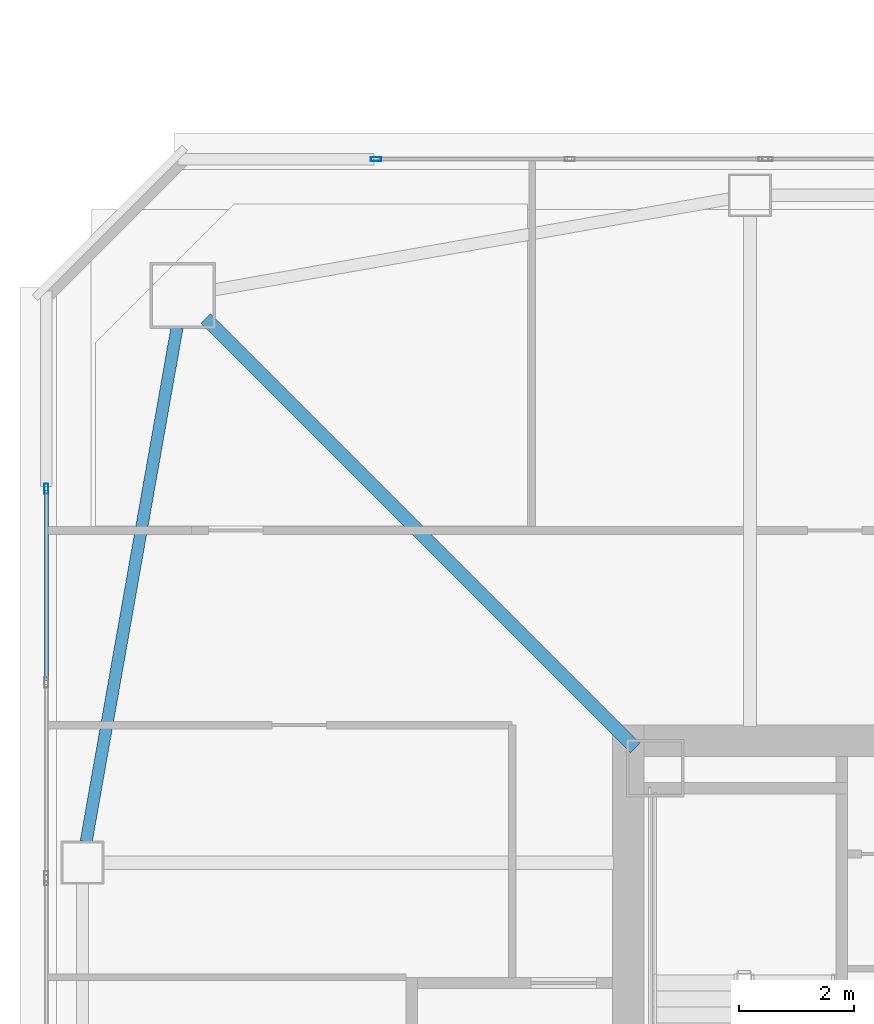
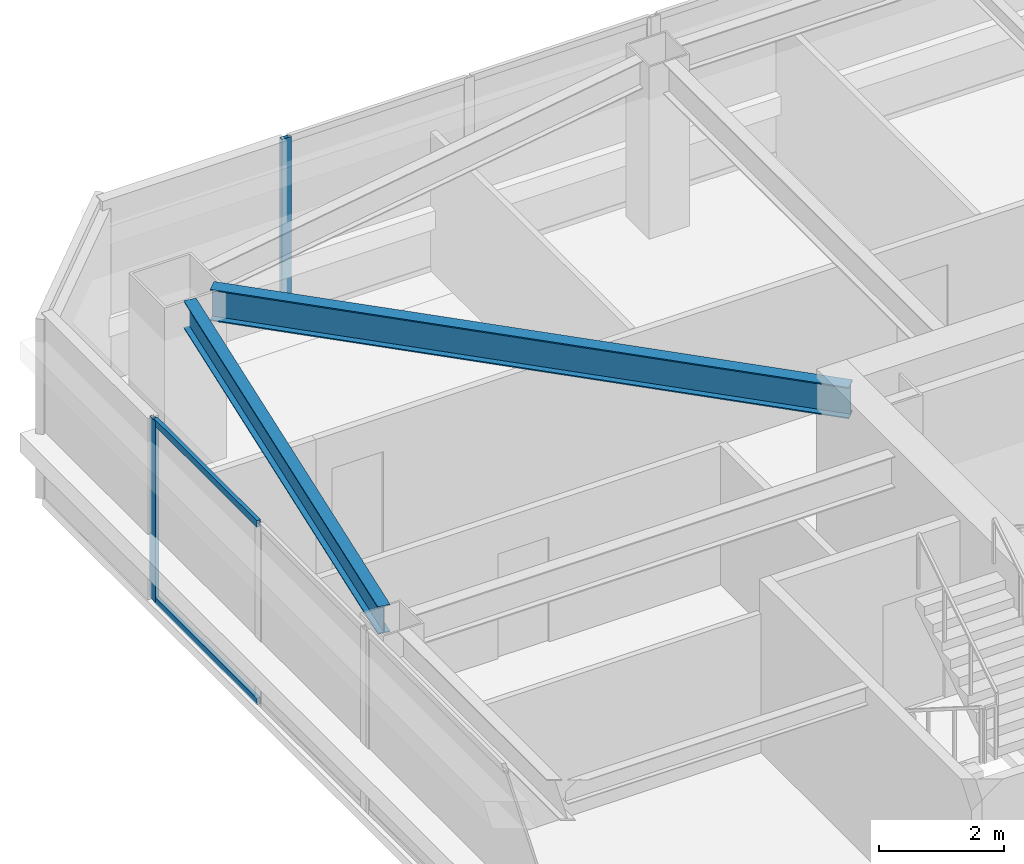
# One storey, part 12 of 43: 4 members, 2 beams, 2 elements without a shape of their own.
"""IFC4 building model written with IfcOpenShell, lengths in metres."""

import ifcopenshell
import ifcopenshell.guid

model = None  # the IFC model being written
_history = None  # IfcOwnerHistory: only IFC2X3 demands one
_inside = {}  # id of a spatial element -> (the spatial element, [elements in it])
_under = {}  # id of a project, library or spatial element -> (it, [spatial elements below it])
_declared = {}  # id of a project -> (the project, [libraries it declares])
_typed = {}  # id of a type object -> (the type object, [elements of that type])
_made_of = {}  # id of a material, layer set ... -> (it, [elements and type objects made of it])


def new_model(schema):
    """Start an empty IFC model of exactly this schema.

    Asked for "IFC4X3", IfcOpenShell would pick the latest addendum, in which some entities
    have other attributes; the version numbers below select the first issue.
    IFC2X3 requires an IfcOwnerHistory on every rooted entity: one is made here for all.
    """
    global model, _history
    if schema == "IFC4X3":
        model = ifcopenshell.file(schema_version=(4, 3, 0, 0))
    else:
        model = ifcopenshell.file(schema=schema)
    _inside.clear()
    _under.clear()
    _declared.clear()
    _typed.clear()
    _made_of.clear()
    _history = None
    if model.schema == "IFC2X3":
        org = make("IfcOrganization", Name="unknown")
        user = make(
            "IfcPersonAndOrganization",
            ThePerson=make("IfcPerson", FamilyName="unknown"),
            TheOrganization=org,
        )
        app = make(
            "IfcApplication",
            ApplicationDeveloper=org,
            Version="unknown",
            ApplicationFullName="unknown",
            ApplicationIdentifier="unknown",
        )
        _history = make(
            "IfcOwnerHistory",
            OwningUser=user,
            OwningApplication=app,
            ChangeAction="ADDED",
            CreationDate=0,
        )
    return model


def make(cls, **values):
    """One entity of the class cls with the attributes given. An attribute that is None is left unset."""
    return model.create_entity(
        cls, **{name: value for name, value in values.items() if value is not None}
    )


def rooted(cls, **values):
    """An entity with a GlobalId (a new one), such as an element, a storey or a relation."""
    return make(cls, GlobalId=ifcopenshell.guid.new(), OwnerHistory=_history, **values)


def si_unit(unit_type, name, prefix=None):
    """IfcSIUnit, for example si_unit("LENGTHUNIT", "METRE", prefix="MILLI")."""
    return make("IfcSIUnit", UnitType=unit_type, Prefix=prefix, Name=name)


def assignment(units):
    """IfcUnitAssignment: the units of a project."""
    return None if units is None else make("IfcUnitAssignment", Units=units)


def point(xyz):
    """IfcCartesianPoint."""
    return None if xyz is None else make("IfcCartesianPoint", Coordinates=xyz)


def direction(xyz):
    """IfcDirection."""
    return None if xyz is None else make("IfcDirection", DirectionRatios=xyz)


def frame(location, z_axis=None, x_axis=None):
    """IfcAxis2Placement3D, a coordinate frame: its origin and axes. An axis left out is left unset."""
    return make(
        "IfcAxis2Placement3D",
        Location=point(location),
        Axis=direction(z_axis),
        RefDirection=direction(x_axis),
    )


def frame_2d(location, x_axis=None):
    """IfcAxis2Placement2D, a coordinate frame in the plane: its origin and x axis."""
    return make(
        "IfcAxis2Placement2D", Location=point(location), RefDirection=direction(x_axis)
    )


def origin():
    """The frame at (0, 0, 0) with its axes left unset."""
    return frame((0.0, 0.0, 0.0))


def origin_2d():
    """The frame at (0, 0) in the plane with its x axis left unset."""
    return frame_2d((0.0, 0.0))


def place(relative_to, where):
    """IfcLocalPlacement: puts the frame where relative to a parent placement (None: the world)."""
    return make(
        "IfcLocalPlacement", PlacementRelTo=relative_to, RelativePlacement=where
    )


def context(
    kind, dimensions, precision=None, world=None, true_north=None, identifier=None
):
    """IfcGeometricRepresentationContext, for example the 3D "Model" context."""
    return make(
        "IfcGeometricRepresentationContext",
        ContextIdentifier=identifier,
        ContextType=kind,
        CoordinateSpaceDimension=dimensions,
        Precision=precision,
        WorldCoordinateSystem=world,
        TrueNorth=true_north,
    )


def subcontext(parent, identifier, kind, view, scale=None):
    """IfcGeometricRepresentationSubContext, for example "Body" below "Model"."""
    return make(
        "IfcGeometricRepresentationSubContext",
        ContextIdentifier=identifier,
        ContextType=kind,
        ParentContext=parent,
        TargetScale=scale,
        TargetView=view,
    )


def project(units=None, contexts=None):
    """IfcProject with its units and contexts."""
    return rooted(
        "IfcProject",
        Name="project",
        RepresentationContexts=contexts,
        UnitsInContext=assignment(units),
    )


def spatial(cls, under=None, at=None, **own):
    """A site, building, storey or space (cls), placed at a placement, below another one or the project."""
    s = rooted(cls, ObjectPlacement=at, **own)
    if under is not None:
        _under.setdefault(under.id(), (under, []))[1].append(s)
    return s


def profile(cls, at=None, kind="AREA", **sizes):
    """A parametric profile (cls). Its sizes go by their IFC names, for example OverallWidth=200.0."""
    return make(cls, ProfileType=kind, Position=at, **sizes)


def hollow_rectangle(**sizes):
    """IfcRectangleHollowProfileDef."""
    return profile("IfcRectangleHollowProfileDef", **sizes)


def i_section(**sizes):
    """IfcIShapeProfileDef."""
    return profile("IfcIShapeProfileDef", **sizes)


def extrude(swept, where, along, depth):
    """IfcExtrudedAreaSolid: the profile swept, set in the frame where, extruded along a direction by depth."""
    return make(
        "IfcExtrudedAreaSolid",
        SweptArea=swept,
        Position=where,
        ExtrudedDirection=direction(along),
        Depth=depth,
    )


def shape(context_of_items, identifier, shape_type, items):
    """IfcShapeRepresentation: the items that make up one representation, for example the "Body"."""
    return make(
        "IfcShapeRepresentation",
        ContextOfItems=context_of_items,
        RepresentationIdentifier=identifier,
        RepresentationType=shape_type,
        Items=items,
    )


def material(Name=None, Category=None):
    """IfcMaterial."""
    return make("IfcMaterial", Name=Name, Category=Category)


def material_profile(
    of_material, cross_section, Name=None, Category=None, Priority=None
):
    """IfcMaterialProfile: a cross section and its material."""
    return make(
        "IfcMaterialProfile",
        Name=Name,
        Material=of_material,
        Profile=cross_section,
        Priority=Priority,
        Category=Category,
    )


def profile_set(profiles, Name=None, composite=None):
    """IfcMaterialProfileSet."""
    return make(
        "IfcMaterialProfileSet",
        Name=Name,
        MaterialProfiles=profiles,
        CompositeProfile=composite,
    )


def made_of(thing, what):
    """Note that an element or type object is made of a material, layer set ...; save() writes the relation."""
    if what is not None:
        _made_of.setdefault(what.id(), (what, []))[1].append(thing)
    return thing


def type_object(cls, material=None, **own):
    """A type object (cls), such as IfcWallType, which elements share."""
    return made_of(rooted(cls, **own), material)


def element(
    cls,
    number,
    at=None,
    inside=None,
    cuts=None,
    type_object=None,
    material=None,
    context=None,
    identifier="Body",
    shape_type=None,
    held_by="IfcProductDefinitionShape",
    body=None,
    shapes=None,
    **own,
):
    """One element of the class cls, such as IfcWall. Its Tag is "e" and its number.

    at: its placement. inside: the storey or other place that contains it. cuts: it is an
    opening in that element (IfcRelVoidsElement). A single representation is given by context,
    identifier, shape_type and body (its items); several are given by shapes. held_by: the class
    of the entity that holds the representations. save() writes the other relations.
    """
    e = rooted(cls, Tag="e%d" % number, ObjectPlacement=at, **own)
    if body is not None:
        shapes = [shape(context, identifier, shape_type, body)]
    if shapes is not None:
        e.Representation = make(held_by, Representations=shapes)
    if inside is not None:
        _inside.setdefault(inside.id(), (inside, []))[1].append(e)
    if cuts is not None:
        rooted(
            "IfcRelVoidsElement", RelatingBuildingElement=cuts, RelatedOpeningElement=e
        )
    if type_object is not None:
        _typed.setdefault(type_object.id(), (type_object, []))[1].append(e)
    return made_of(e, material)


def aggregate(whole, parts):
    """IfcRelAggregates: a whole, such as a stair, and the parts it consists of."""
    return rooted("IfcRelAggregates", RelatingObject=whole, RelatedObjects=parts)


def save(model, path):
    """Write the relations noted so far, then the file.

    IfcRelAggregates (storeys below a building ...), IfcRelContainedInSpatialStructure (elements
    in a storey), IfcRelDefinesByType, IfcRelAssociatesMaterial and IfcRelDeclares: one each for
    every whole, place, type object, material and project.
    """
    for whole, parts in _under.values():
        aggregate(whole, parts)
    for where, things in _inside.values():
        rooted(
            "IfcRelContainedInSpatialStructure",
            RelatedElements=things,
            RelatingStructure=where,
        )
    for kind, things in _typed.values():
        rooted("IfcRelDefinesByType", RelatedObjects=things, RelatingType=kind)
    for what, things in _made_of.values():
        rooted("IfcRelAssociatesMaterial", RelatedObjects=things, RelatingMaterial=what)
    for by, libraries in _declared.values():
        rooted("IfcRelDeclares", RelatingContext=by, RelatedDefinitions=libraries)
    model.write(path)


model = new_model("IFC4")

# Units and contexts
model_context = context("Model", 3, precision=1e-05, world=origin(), true_north=direction((0.0, 1.0)))
body_context = subcontext(model_context, "Body", "Model", "MODEL_VIEW")
ifc_project = project(units=[si_unit("LENGTHUNIT", "METRE"), si_unit("AREAUNIT", "SQUARE_METRE"), si_unit("VOLUMEUNIT", "CUBIC_METRE"), si_unit("PLANEANGLEUNIT", "RADIAN"), si_unit("MASSUNIT", "GRAM", prefix="KILO")], contexts=[model_context])

# Site, building, storey
site_placement = place(None, origin())
site = spatial("IfcSite", under=ifc_project, at=site_placement, CompositionType="ELEMENT")
building_placement = place(site_placement, origin())
building = spatial("IfcBuilding", under=site, at=building_placement, Name="Tashvorn Skyway Center", CompositionType="ELEMENT")
storey_placement = place(building_placement, frame((0.0, 0.0, 160.550048828125)))
storey = spatial("IfcBuildingStorey", under=building, at=storey_placement, Name="L43", CompositionType="ELEMENT", Elevation=160.550048828125)

# Beams
ifc_material_1 = material(Name="Steel ASTM A992 Grade 50", Category="steel")
ifc_material_profile_1 = material_profile(ifc_material_1, i_section(OverallWidth=0.22998046875, OverallDepth=0.616943359375, WebThickness=0.01318359375, FlangeThickness=0.022216796875, at=origin_2d()), Name="W24X94")
ifc_profile_set_1 = profile_set([ifc_material_profile_1], Name="Steel ASTM A992 Grade 50")
beam_type_1 = type_object("IfcBeamType", Name="BM-BEAM-W24X94", PredefinedType="BEAM", material=ifc_profile_set_1)
beam_1_placement = place(storey_placement, frame((27.10302734375, 46.89697265625, 3.0615234375), z_axis=(0.707106781187, -0.707106781187, 0.0), x_axis=(0.707106781187, 0.707106781187, 0.0)))
element("IfcBeam", 1, at=beam_1_placement, inside=storey, type_object=beam_type_1, Name="Tower 1 L43 Primary Floor Girder MC-NW", PredefinedType="BEAM", context=body_context, shape_type="SweptSolid", body=[
    extrude(i_section(OverallWidth=0.22998046875, OverallDepth=0.616943359375, WebThickness=0.01318359375, FlangeThickness=0.022216796875, at=origin_2d()), origin(), (0.0, 0.0, 1.0), 10.6025390625),
])
ifc_material_profile_2 = material_profile(ifc_material_1, i_section(OverallWidth=0.2109375, OverallDepth=0.5390625, WebThickness=0.01171875, FlangeThickness=0.018798828125, at=origin_2d()), Name="W21X73")
ifc_profile_set_2 = profile_set([ifc_material_profile_2], Name="Steel ASTM A992 Grade 50")
beam_type_2 = type_object("IfcBeamType", Name="BM-SPANDREL-W21X73", PredefinedType="SPANDREL", material=ifc_profile_set_2)
beam_2_placement = place(storey_placement, frame((26.600830078125, 46.73876953125, 3.100341796875), z_axis=(-0.174074160933, -0.984732545667, 0.0), x_axis=(0.984732545667, -0.174074160933, 0.0)))
element("IfcBeam", 2, at=beam_2_placement, inside=storey, type_object=beam_type_2, Name="Tower 1 L43 Spandrel Beam 10", PredefinedType="SPANDREL", context=body_context, shape_type="SweptSolid", body=[
    extrude(i_section(OverallWidth=0.2109375, OverallDepth=0.5390625, WebThickness=0.01171875, FlangeThickness=0.018798828125, at=origin_2d()), origin(), (0.0, 0.0, 1.0), 9.113525390625),
])

# Curtain wall, member
ifc_material_2 = material(Name="Thermally broken bronze-anodized aluminium 6063-T6", Category="aluminium")
curtain_wall_type = type_object("IfcCurtainWallType", Name="CW-CW-Z4", PredefinedType="NOTDEFINED", material=ifc_material_2)
curtain_wall_1_placement = place(storey_placement, origin())
curtain_wall_1 = element("IfcCurtainWall", 3, at=curtain_wall_1_placement, inside=storey, type_object=curtain_wall_type, Name="Tower 1 L43 West Unitised Curtain Wall Glazing Group 3", PredefinedType="NOTDEFINED")
ifc_material_profile_3 = material_profile(ifc_material_2, hollow_rectangle(XDim=0.070068359375, YDim=0.179931640625, WallThickness=0.00390625, at=origin_2d()), Name="ALU-MULL-70x180")
ifc_profile_set_3 = profile_set([ifc_material_profile_3], Name="Thermally broken bronze-anodized aluminium 6063-T6")
member_type_1 = type_object("IfcMemberType", Name="CWM-CW-Z4", PredefinedType="MULLION", material=ifc_profile_set_3)
member_1_placement = place(storey_placement, frame((24.320068359375, 43.92724609375, 0.0), z_axis=(0.0, 0.0, 1.0), x_axis=(-1.0, 0.0, 0.0)))
member_1 = element("IfcMember", 4, at=member_1_placement, type_object=member_type_1, Name="CW-Z4 mullion 3", PredefinedType="MULLION", context=body_context, shape_type="SweptSolid", body=[
    extrude(hollow_rectangle(XDim=0.070068359375, YDim=0.179931640625, WallThickness=0.00390625, at=origin_2d()), origin(), (0.0, 0.0, 1.0), 3.550048828125),
])

curtain_wall_2_placement = place(storey_placement, origin())
curtain_wall_2 = element("IfcCurtainWall", 5, at=curtain_wall_2_placement, inside=storey, type_object=curtain_wall_type, Name="Tower 1 L43 North Unitised Curtain Wall Glazing Group 1", PredefinedType="NOTDEFINED")
member_2_placement = place(storey_placement, frame((30.07275390625, 49.679931640625, 0.0), z_axis=(0.0, 0.0, 1.0), x_axis=(0.0, 1.0, 0.0)))
member_2 = element("IfcMember", 6, at=member_2_placement, type_object=member_type_1, Name="CW-Z4 mullion 1", PredefinedType="MULLION", context=body_context, shape_type="SweptSolid", body=[
    extrude(hollow_rectangle(XDim=0.070068359375, YDim=0.179931640625, WallThickness=0.00390625, at=origin_2d()), origin(), (0.0, 0.0, 1.0), 3.550048828125),
])
aggregate(curtain_wall_2, [member_2])

# Member
ifc_material_profile_4 = material_profile(ifc_material_2, hollow_rectangle(XDim=0.070068359375, YDim=0.1298828125, WallThickness=0.00390625, at=origin_2d()), Name="ALU-TRAN-70x130")
ifc_profile_set_4 = profile_set([ifc_material_profile_4], Name="Thermally broken bronze-anodized aluminium 6063-T6")
member_type_2 = type_object("IfcMemberType", Name="CWT-CW-Z4", PredefinedType="USERDEFINED", material=ifc_profile_set_4)
member_3_placement = place(storey_placement, frame((24.320068359375, 40.579345703125, 0.034912109375), z_axis=(0.0, 1.0, 0.0), x_axis=(-1.0, 0.0, 0.0)))
member_3 = element("IfcMember", 7, at=member_3_placement, type_object=member_type_2, Name="CW-Z4 transom 2.1", ObjectType="TRANSOM", PredefinedType="USERDEFINED", context=body_context, shape_type="SweptSolid", body=[
    extrude(hollow_rectangle(XDim=0.070068359375, YDim=0.1298828125, WallThickness=0.00390625, at=origin_2d()), origin(), (0.0, 0.0, 1.0), 3.312744140625),
])

member_4_placement = place(storey_placement, frame((24.320068359375, 40.579345703125, 3.514892578125), z_axis=(0.0, 1.0, 0.0), x_axis=(-1.0, 0.0, 0.0)))
member_4 = element("IfcMember", 8, at=member_4_placement, type_object=member_type_2, Name="CW-Z4 transom 2.2", ObjectType="TRANSOM", PredefinedType="USERDEFINED", context=body_context, shape_type="SweptSolid", body=[
    extrude(hollow_rectangle(XDim=0.070068359375, YDim=0.1298828125, WallThickness=0.00390625, at=origin_2d()), origin(), (0.0, 0.0, 1.0), 3.312744140625),
])

aggregate(curtain_wall_1, [member_1, member_3, member_4])

save(model, "model.ifc")
